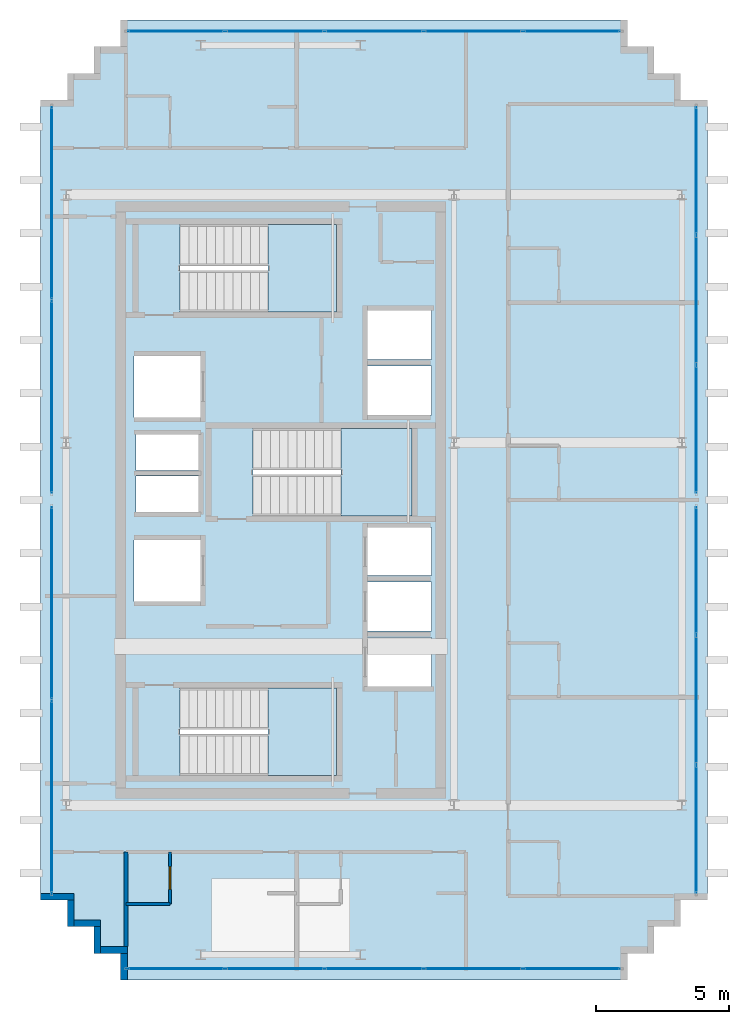
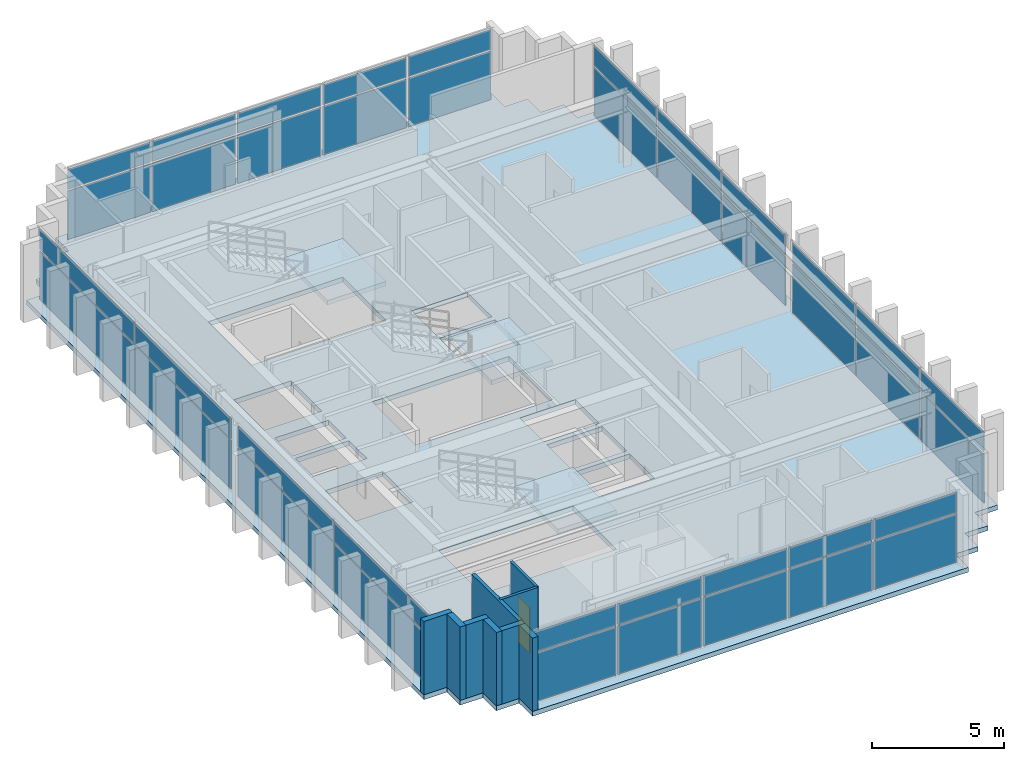
# One storey, part 11 of 15: 40 plates, 9 walls, 4 slabs, 1 door, 1 opening, 9 elements without a shape of their own.
"""IFC4 building model written with IfcOpenShell, lengths in metres."""

from ifc_helpers import new_model, si_unit, direction, frame, frame_2d, origin, origin_2d, place, context, subcontext, project, spatial, polyline, rectangle, outline, extrude, source, transform, mapped, material, layer, layer_set, type_object, element, fill, aggregate, save


model = new_model("IFC4")

# Units and contexts
model_context = context("Model", 3, precision=1e-05, world=origin(), true_north=direction((0.0, 1.0)))
body_context = subcontext(model_context, "Body", "Model", "MODEL_VIEW")
ifc_project = project(units=[si_unit("LENGTHUNIT", "METRE"), si_unit("AREAUNIT", "SQUARE_METRE"), si_unit("VOLUMEUNIT", "CUBIC_METRE"), si_unit("PLANEANGLEUNIT", "RADIAN"), si_unit("MASSUNIT", "GRAM", prefix="KILO")], contexts=[model_context])

# Site, building, storey
site_placement = place(None, origin())
site = spatial("IfcSite", under=ifc_project, at=site_placement, CompositionType="ELEMENT")
building_placement = place(site_placement, origin())
building = spatial("IfcBuilding", under=site, at=building_placement, Name="Ocotamira Hotel", CompositionType="ELEMENT")
storey_placement = place(building_placement, frame((0.0, 0.0, 286.800048828125)))
storey = spatial("IfcBuildingStorey", under=building, at=storey_placement, Name="L73", CompositionType="ELEMENT", Elevation=286.800048828125)

# Stair, slab
ifc_material_1 = material(Name="Concrete C40/50", Category="concrete")
stair_type = type_object("IfcStairType", Name="ST-CORE-1560", PredefinedType="HALF_TURN_STAIR", material=ifc_material_1)
stair_1_placement = place(storey_placement, origin())
stair_1 = element("IfcStair", 1, at=stair_1_placement, inside=storey, type_object=stair_type, Name="L73 Exit Stair ST-1", PredefinedType="HALF_TURN_STAIR")
ifc_layer_1 = layer(ifc_material_1, 0.199951171875)
ifc_layer_set_1 = layer_set([ifc_layer_1], Name="Concrete C40/50")
slab_type_1 = type_object("IfcSlabType", Name="SLB-LAND-200", PredefinedType="LANDING", material=ifc_layer_set_1)
slab_1_placement = place(storey_placement, frame((0.0, 0.0, 1.599853515625)))
slab_1 = element("IfcSlab", 2, at=slab_1_placement, type_object=slab_type_1, Name="ST-1 landing 1", PredefinedType="LANDING", context=body_context, shape_type="SweptSolid", body=[
    extrude(outline(polyline([(16.530029296875, 15.669921875), (19.090087890625, 15.669921875), (19.090087890625, 18.949951171875), (16.530029296875, 18.949951171875), (16.530029296875, 15.669921875)])), origin(), (0.0, 0.0, 1.0), 0.2001953125),
])
aggregate(stair_1, [slab_1])

stair_2_placement = place(storey_placement, origin())
stair_2 = element("IfcStair", 3, at=stair_2_placement, inside=storey, type_object=stair_type, Name="L73 Exit Stair ST-2", PredefinedType="HALF_TURN_STAIR")
slab_2_placement = place(storey_placement, frame((0.0, 0.0, 1.599853515625)))
slab_2 = element("IfcSlab", 4, at=slab_2_placement, type_object=slab_type_1, Name="ST-2 landing 1", PredefinedType="LANDING", context=body_context, shape_type="SweptSolid", body=[
    extrude(outline(polyline([(16.530029296875, 33.050048828125), (19.090087890625, 33.050048828125), (19.090087890625, 36.330078125), (16.530029296875, 36.330078125), (16.530029296875, 33.050048828125)])), origin(), (0.0, 0.0, 1.0), 0.2001953125),
])
aggregate(stair_2, [slab_2])

stair_3_placement = place(storey_placement, origin())
stair_3 = element("IfcStair", 5, at=stair_3_placement, inside=storey, type_object=stair_type, Name="L73 Exit Stair ST-3", PredefinedType="HALF_TURN_STAIR")
slab_3_placement = place(storey_placement, frame((0.0, 0.0, 1.599853515625)))
slab_3 = element("IfcSlab", 6, at=slab_3_placement, type_object=slab_type_1, Name="ST-3 landing 1", PredefinedType="LANDING", context=body_context, shape_type="SweptSolid", body=[
    extrude(outline(polyline([(19.260009765625, 25.39990234375), (21.919921875, 25.39990234375), (21.919921875, 28.679931640625), (19.260009765625, 28.679931640625), (19.260009765625, 25.39990234375)])), origin(), (0.0, 0.0, 1.0), 0.2001953125),
])
aggregate(stair_3, [slab_3])

# Slab
ifc_layer_2 = layer(ifc_material_1, 0.219970703125)
ifc_layer_set_2 = layer_set([ifc_layer_2], Name="Concrete C40/50")
slab_type_2 = type_object("IfcSlabType", Name="SLB-UPP-220", PredefinedType="FLOOR", material=ifc_layer_set_2)
slab_4_placement = place(storey_placement, frame((0.0, 0.0, -0.219970703125)))
element("IfcSlab", 7, at=slab_4_placement, inside=storey, type_object=slab_type_2, Name="L73 Structural Floor Slab", PredefinedType="FLOOR", context=body_context, shape_type="SweptSolid", body=[
    extrude(outline(polyline([(11.0, 8.0), (30.0, 8.0), (30.0, 9.0), (31.0, 9.0), (31.0, 10.0), (32.0, 10.0), (32.0, 11.0), (33.0, 11.0), (33.0, 41.0), (32.0, 41.0), (32.0, 42.0), (31.0, 42.0), (31.0, 43.0), (30.0, 43.0), (30.0, 44.0), (11.0, 44.0), (11.0, 43.0), (10.0, 43.0), (10.0, 42.0), (9.0, 42.0), (9.0, 41.0), (8.0, 41.0), (8.0, 11.0), (9.0, 11.0), (9.0, 10.0), (10.0, 10.0), (10.0, 9.0), (11.0, 9.0), (11.0, 8.0)]), holes=[polyline([(13.22998046875, 15.669921875), (19.090087890625, 15.669921875), (19.090087890625, 18.949951171875), (13.22998046875, 18.949951171875), (13.22998046875, 15.669921875)]), polyline([(13.22998046875, 33.050048828125), (19.090087890625, 33.050048828125), (19.090087890625, 36.330078125), (13.22998046875, 36.330078125), (13.22998046875, 33.050048828125)]), polyline([(15.9599609375, 25.39990234375), (21.919921875, 25.39990234375), (21.919921875, 28.679931640625), (15.9599609375, 28.679931640625), (15.9599609375, 25.39990234375)]), polyline([(20.25, 19.0), (22.659912109375, 19.0), (22.659912109375, 20.85009765625), (20.25, 20.85009765625), (20.25, 19.0)]), polyline([(20.25, 21.080078125), (22.659912109375, 21.080078125), (22.659912109375, 22.929931640625), (20.25, 22.929931640625), (20.25, 21.080078125)]), polyline([(20.25, 23.159912109375), (22.659912109375, 23.159912109375), (22.659912109375, 24.9599609375), (20.25, 24.9599609375), (20.25, 23.159912109375)]), polyline([(20.25, 29.179931640625), (22.659912109375, 29.179931640625), (22.659912109375, 31.030029296875), (20.25, 31.030029296875), (20.25, 29.179931640625)]), polyline([(20.25, 31.260009765625), (22.659912109375, 31.260009765625), (22.659912109375, 33.110107421875), (20.25, 33.110107421875), (20.25, 31.260009765625)]), polyline([(11.5, 22.199951171875), (14.0, 22.199951171875), (14.0, 24.5), (11.5, 24.5), (11.5, 22.199951171875)]), polyline([(11.5, 29.10009765625), (14.0, 29.10009765625), (14.0, 31.39990234375), (11.5, 31.39990234375), (11.5, 29.10009765625)]), polyline([(11.580078125, 25.550048828125), (13.919921875, 25.550048828125), (13.919921875, 26.89990234375), (11.580078125, 26.89990234375), (11.580078125, 25.550048828125)]), polyline([(11.580078125, 27.10009765625), (13.919921875, 27.10009765625), (13.919921875, 28.449951171875), (11.580078125, 28.449951171875), (11.580078125, 27.10009765625)])]), origin(), (0.0, 0.0, 1.0), 0.219970703125),
])

# Curtain wall, plates
ifc_material_2 = material(Name="Anodised pale-metal aluminium and solar glass", Category="aluminium")
ifc_layer_3 = layer(ifc_material_2, 0.2099609375)
ifc_layer_set_3 = layer_set([ifc_layer_3], Name="Anodised pale-metal aluminium and solar glass")
curtain_wall_type = type_object("IfcCurtainWallType", Name="CW-SYS7-PEAK", PredefinedType="NOTDEFINED", material=ifc_layer_set_3)
curtain_wall_1_placement = place(storey_placement, origin())
curtain_wall_1 = element("IfcCurtainWall", 8, at=curtain_wall_1_placement, inside=storey, type_object=curtain_wall_type, Name="L73 Curtain Wall CW-7 CW-L73-W1", PredefinedType="NOTDEFINED")
ifc_material_3 = material(Name="Double-silver low-E insulated solar glass", Category="glass")
ifc_layer_4 = layer(ifc_material_3, 0.031982421875)
ifc_layer_set_4 = layer_set([ifc_layer_4], Name="Double-silver low-E insulated solar glass")
plate_type = type_object("IfcPlateType", Name="CWP-VISION-32", PredefinedType="CURTAIN_PANEL", material=ifc_layer_set_4)
shared_shape_1 = source(origin(), body_context, "Body", "SweptSolid", [
    extrude(rectangle(XDim=7.179931640625, YDim=0.031982421875, at=origin_2d()), origin(), (0.0, 0.0, 1.0), 2.237548828125),
])
plate_1_placement = place(storey_placement, frame((8.419921875, 14.8701171875, 0.07470703125), z_axis=(0.0, 0.0, 1.0), x_axis=(0.0, 1.0, 0.0)))
plate_1 = element("IfcPlate", 9, at=plate_1_placement, type_object=plate_type, Name="CW-7 panel 1.1", PredefinedType="CURTAIN_PANEL", context=body_context, shape_type="MappedRepresentation", body=[
    mapped(shared_shape_1, transform((0.0, 0.0, 0.0), scale=1.0)),
])
plate_2_placement = place(storey_placement, frame((8.419921875, 22.1298828125, 0.07470703125), z_axis=(0.0, 0.0, 1.0), x_axis=(0.0, 1.0, 0.0)))
plate_2 = element("IfcPlate", 10, at=plate_2_placement, type_object=plate_type, Name="CW-7 panel 2.1", PredefinedType="CURTAIN_PANEL", context=body_context, shape_type="MappedRepresentation", body=[
    mapped(shared_shape_1, transform((0.0, 0.0, 0.0), scale=1.0)),
])

curtain_wall_2_placement = place(storey_placement, origin())
curtain_wall_2 = element("IfcCurtainWall", 11, at=curtain_wall_2_placement, inside=storey, type_object=curtain_wall_type, Name="L73 Curtain Wall CW-7 CW-L73-W2", PredefinedType="NOTDEFINED")
plate_3_placement = place(storey_placement, frame((8.419921875, 29.8701171875, 0.07470703125), z_axis=(0.0, 0.0, 1.0), x_axis=(0.0, 1.0, 0.0)))
plate_3 = element("IfcPlate", 12, at=plate_3_placement, type_object=plate_type, Name="CW-7 panel 1.1", PredefinedType="CURTAIN_PANEL", context=body_context, shape_type="MappedRepresentation", body=[
    mapped(shared_shape_1, transform((0.0, 0.0, 0.0), scale=1.0)),
])
plate_4_placement = place(storey_placement, frame((8.419921875, 37.1298828125, 0.07470703125), z_axis=(0.0, 0.0, 1.0), x_axis=(0.0, 1.0, 0.0)))
plate_4 = element("IfcPlate", 13, at=plate_4_placement, type_object=plate_type, Name="CW-7 panel 2.1", PredefinedType="CURTAIN_PANEL", context=body_context, shape_type="MappedRepresentation", body=[
    mapped(shared_shape_1, transform((0.0, 0.0, 0.0), scale=1.0)),
])

# Plate
shared_shape_2 = source(origin(), body_context, "Body", "SweptSolid", [
    extrude(rectangle(XDim=7.179931640625, YDim=0.031982421875, at=origin_2d()), origin(), (0.0, 0.0, 1.0), 0.91748046875),
])
plate_5_placement = place(storey_placement, frame((8.419921875, 14.8701171875, 2.387451171875), z_axis=(0.0, 0.0, 1.0), x_axis=(0.0, 1.0, 0.0)))
plate_5 = element("IfcPlate", 14, at=plate_5_placement, type_object=plate_type, Name="CW-7 panel 1.2", PredefinedType="CURTAIN_PANEL", context=body_context, shape_type="MappedRepresentation", body=[
    mapped(shared_shape_2, transform((0.0, 0.0, 0.0), scale=1.0)),
])

plate_6_placement = place(storey_placement, frame((8.419921875, 22.1298828125, 2.387451171875), z_axis=(0.0, 0.0, 1.0), x_axis=(0.0, 1.0, 0.0)))
plate_6 = element("IfcPlate", 15, at=plate_6_placement, type_object=plate_type, Name="CW-7 panel 2.2", PredefinedType="CURTAIN_PANEL", context=body_context, shape_type="MappedRepresentation", body=[
    mapped(shared_shape_2, transform((0.0, 0.0, 0.0), scale=1.0)),
])

aggregate(curtain_wall_1, [plate_1, plate_5, plate_2, plate_6])

plate_7_placement = place(storey_placement, frame((8.419921875, 29.8701171875, 2.387451171875), z_axis=(0.0, 0.0, 1.0), x_axis=(0.0, 1.0, 0.0)))
plate_7 = element("IfcPlate", 16, at=plate_7_placement, type_object=plate_type, Name="CW-7 panel 1.2", PredefinedType="CURTAIN_PANEL", context=body_context, shape_type="MappedRepresentation", body=[
    mapped(shared_shape_2, transform((0.0, 0.0, 0.0), scale=1.0)),
])

plate_8_placement = place(storey_placement, frame((8.419921875, 37.1298828125, 2.387451171875), z_axis=(0.0, 0.0, 1.0), x_axis=(0.0, 1.0, 0.0)))
plate_8 = element("IfcPlate", 17, at=plate_8_placement, type_object=plate_type, Name="CW-7 panel 2.2", PredefinedType="CURTAIN_PANEL", context=body_context, shape_type="MappedRepresentation", body=[
    mapped(shared_shape_2, transform((0.0, 0.0, 0.0), scale=1.0)),
])

aggregate(curtain_wall_2, [plate_3, plate_7, plate_4, plate_8])

# Curtain wall, plates
curtain_wall_3_placement = place(storey_placement, origin())
curtain_wall_3 = element("IfcCurtainWall", 18, at=curtain_wall_3_placement, inside=storey, type_object=curtain_wall_type, Name="L73 Curtain Wall CW-7 CW-L73-S1", PredefinedType="NOTDEFINED")
shared_shape_3 = source(origin(), body_context, "Body", "SweptSolid", [
    extrude(rectangle(XDim=3.60009765625, YDim=0.031982421875, at=origin_2d()), origin(), (0.0, 0.0, 1.0), 2.237548828125),
])
plate_9_placement = place(storey_placement, frame((13.080078125, 8.419921875, 0.07470703125), z_axis=(0.0, 0.0, 1.0), x_axis=(1.0, 0.0, 0.0)))
plate_9 = element("IfcPlate", 19, at=plate_9_placement, type_object=plate_type, Name="CW-7 panel 1.1", PredefinedType="CURTAIN_PANEL", context=body_context, shape_type="MappedRepresentation", body=[
    mapped(shared_shape_3, transform((0.0, 0.0, 0.0), scale=1.0)),
])
plate_10_placement = place(storey_placement, frame((27.919921875, 8.419921875, 0.07470703125), z_axis=(0.0, 0.0, 1.0), x_axis=(1.0, 0.0, 0.0)))
plate_10 = element("IfcPlate", 20, at=plate_10_placement, type_object=plate_type, Name="CW-7 panel 5.1", PredefinedType="CURTAIN_PANEL", context=body_context, shape_type="MappedRepresentation", body=[
    mapped(shared_shape_3, transform((0.0, 0.0, 0.0), scale=1.0)),
])

curtain_wall_4_placement = place(storey_placement, origin())
curtain_wall_4 = element("IfcCurtainWall", 21, at=curtain_wall_4_placement, inside=storey, type_object=curtain_wall_type, Name="L73 Curtain Wall CW-7 CW-L73-N", PredefinedType="NOTDEFINED")
plate_11_placement = place(storey_placement, frame((13.080078125, 43.580078125, 0.07470703125), z_axis=(0.0, 0.0, 1.0), x_axis=(1.0, 0.0, 0.0)))
plate_11 = element("IfcPlate", 22, at=plate_11_placement, type_object=plate_type, Name="CW-7 panel 1.1", PredefinedType="CURTAIN_PANEL", context=body_context, shape_type="MappedRepresentation", body=[
    mapped(shared_shape_3, transform((0.0, 0.0, 0.0), scale=1.0)),
])
plate_12_placement = place(storey_placement, frame((27.919921875, 43.580078125, 0.07470703125), z_axis=(0.0, 0.0, 1.0), x_axis=(1.0, 0.0, 0.0)))
plate_12 = element("IfcPlate", 23, at=plate_12_placement, type_object=plate_type, Name="CW-7 panel 5.1", PredefinedType="CURTAIN_PANEL", context=body_context, shape_type="MappedRepresentation", body=[
    mapped(shared_shape_3, transform((0.0, 0.0, 0.0), scale=1.0)),
])

# Plate
shared_shape_4 = source(origin(), body_context, "Body", "SweptSolid", [
    extrude(rectangle(XDim=3.60009765625, YDim=0.031982421875, at=origin_2d()), origin(), (0.0, 0.0, 1.0), 0.91748046875),
])
plate_13_placement = place(storey_placement, frame((13.080078125, 8.419921875, 2.387451171875), z_axis=(0.0, 0.0, 1.0), x_axis=(1.0, 0.0, 0.0)))
plate_13 = element("IfcPlate", 24, at=plate_13_placement, type_object=plate_type, Name="CW-7 panel 1.2", PredefinedType="CURTAIN_PANEL", context=body_context, shape_type="MappedRepresentation", body=[
    mapped(shared_shape_4, transform((0.0, 0.0, 0.0), scale=1.0)),
])

plate_14_placement = place(storey_placement, frame((27.919921875, 8.419921875, 2.387451171875), z_axis=(0.0, 0.0, 1.0), x_axis=(1.0, 0.0, 0.0)))
plate_14 = element("IfcPlate", 25, at=plate_14_placement, type_object=plate_type, Name="CW-7 panel 5.2", PredefinedType="CURTAIN_PANEL", context=body_context, shape_type="MappedRepresentation", body=[
    mapped(shared_shape_4, transform((0.0, 0.0, 0.0), scale=1.0)),
])

plate_15_placement = place(storey_placement, frame((13.080078125, 43.580078125, 2.387451171875), z_axis=(0.0, 0.0, 1.0), x_axis=(1.0, 0.0, 0.0)))
plate_15 = element("IfcPlate", 26, at=plate_15_placement, type_object=plate_type, Name="CW-7 panel 1.2", PredefinedType="CURTAIN_PANEL", context=body_context, shape_type="MappedRepresentation", body=[
    mapped(shared_shape_4, transform((0.0, 0.0, 0.0), scale=1.0)),
])

plate_16_placement = place(storey_placement, frame((27.919921875, 43.580078125, 2.387451171875), z_axis=(0.0, 0.0, 1.0), x_axis=(1.0, 0.0, 0.0)))
plate_16 = element("IfcPlate", 27, at=plate_16_placement, type_object=plate_type, Name="CW-7 panel 5.2", PredefinedType="CURTAIN_PANEL", context=body_context, shape_type="MappedRepresentation", body=[
    mapped(shared_shape_4, transform((0.0, 0.0, 0.0), scale=1.0)),
])

shared_shape_5 = source(origin(), body_context, "Body", "SweptSolid", [
    extrude(rectangle(XDim=3.639892578125, YDim=0.031982421875, at=origin_2d()), origin(), (0.0, 0.0, 1.0), 2.237548828125),
])
plate_17_placement = place(storey_placement, frame((16.780029296875, 8.419921875, 0.07470703125), z_axis=(0.0, 0.0, 1.0), x_axis=(1.0, 0.0, 0.0)))
plate_17 = element("IfcPlate", 28, at=plate_17_placement, type_object=plate_type, Name="CW-7 panel 2.1", PredefinedType="CURTAIN_PANEL", context=body_context, shape_type="MappedRepresentation", body=[
    mapped(shared_shape_5, transform((0.0, 0.0, 0.0), scale=1.0)),
])

plate_18_placement = place(storey_placement, frame((20.5, 8.419921875, 0.07470703125), z_axis=(0.0, 0.0, 1.0), x_axis=(1.0, 0.0, 0.0)))
plate_18 = element("IfcPlate", 29, at=plate_18_placement, type_object=plate_type, Name="CW-7 panel 3.1", PredefinedType="CURTAIN_PANEL", context=body_context, shape_type="MappedRepresentation", body=[
    mapped(shared_shape_5, transform((0.0, 0.0, 0.0), scale=1.0)),
])

plate_19_placement = place(storey_placement, frame((24.219970703125, 8.419921875, 0.07470703125), z_axis=(0.0, 0.0, 1.0), x_axis=(1.0, 0.0, 0.0)))
plate_19 = element("IfcPlate", 30, at=plate_19_placement, type_object=plate_type, Name="CW-7 panel 4.1", PredefinedType="CURTAIN_PANEL", context=body_context, shape_type="MappedRepresentation", body=[
    mapped(shared_shape_5, transform((0.0, 0.0, 0.0), scale=1.0)),
])

plate_20_placement = place(storey_placement, frame((16.780029296875, 43.580078125, 0.07470703125), z_axis=(0.0, 0.0, 1.0), x_axis=(1.0, 0.0, 0.0)))
plate_20 = element("IfcPlate", 31, at=plate_20_placement, type_object=plate_type, Name="CW-7 panel 2.1", PredefinedType="CURTAIN_PANEL", context=body_context, shape_type="MappedRepresentation", body=[
    mapped(shared_shape_5, transform((0.0, 0.0, 0.0), scale=1.0)),
])

plate_21_placement = place(storey_placement, frame((20.5, 43.580078125, 0.07470703125), z_axis=(0.0, 0.0, 1.0), x_axis=(1.0, 0.0, 0.0)))
plate_21 = element("IfcPlate", 32, at=plate_21_placement, type_object=plate_type, Name="CW-7 panel 3.1", PredefinedType="CURTAIN_PANEL", context=body_context, shape_type="MappedRepresentation", body=[
    mapped(shared_shape_5, transform((0.0, 0.0, 0.0), scale=1.0)),
])

plate_22_placement = place(storey_placement, frame((24.219970703125, 43.580078125, 0.07470703125), z_axis=(0.0, 0.0, 1.0), x_axis=(1.0, 0.0, 0.0)))
plate_22 = element("IfcPlate", 33, at=plate_22_placement, type_object=plate_type, Name="CW-7 panel 4.1", PredefinedType="CURTAIN_PANEL", context=body_context, shape_type="MappedRepresentation", body=[
    mapped(shared_shape_5, transform((0.0, 0.0, 0.0), scale=1.0)),
])

shared_shape_6 = source(origin(), body_context, "Body", "SweptSolid", [
    extrude(rectangle(XDim=3.639892578125, YDim=0.031982421875, at=origin_2d()), origin(), (0.0, 0.0, 1.0), 0.91748046875),
])
plate_23_placement = place(storey_placement, frame((16.780029296875, 8.419921875, 2.387451171875), z_axis=(0.0, 0.0, 1.0), x_axis=(1.0, 0.0, 0.0)))
plate_23 = element("IfcPlate", 34, at=plate_23_placement, type_object=plate_type, Name="CW-7 panel 2.2", PredefinedType="CURTAIN_PANEL", context=body_context, shape_type="MappedRepresentation", body=[
    mapped(shared_shape_6, transform((0.0, 0.0, 0.0), scale=1.0)),
])

plate_24_placement = place(storey_placement, frame((20.5, 8.419921875, 2.387451171875), z_axis=(0.0, 0.0, 1.0), x_axis=(1.0, 0.0, 0.0)))
plate_24 = element("IfcPlate", 35, at=plate_24_placement, type_object=plate_type, Name="CW-7 panel 3.2", PredefinedType="CURTAIN_PANEL", context=body_context, shape_type="MappedRepresentation", body=[
    mapped(shared_shape_6, transform((0.0, 0.0, 0.0), scale=1.0)),
])

plate_25_placement = place(storey_placement, frame((24.219970703125, 8.419921875, 2.387451171875), z_axis=(0.0, 0.0, 1.0), x_axis=(1.0, 0.0, 0.0)))
plate_25 = element("IfcPlate", 36, at=plate_25_placement, type_object=plate_type, Name="CW-7 panel 4.2", PredefinedType="CURTAIN_PANEL", context=body_context, shape_type="MappedRepresentation", body=[
    mapped(shared_shape_6, transform((0.0, 0.0, 0.0), scale=1.0)),
])

aggregate(curtain_wall_3, [plate_9, plate_13, plate_17, plate_23, plate_18, plate_24, plate_19, plate_25, plate_10, plate_14])

plate_26_placement = place(storey_placement, frame((16.780029296875, 43.580078125, 2.387451171875), z_axis=(0.0, 0.0, 1.0), x_axis=(1.0, 0.0, 0.0)))
plate_26 = element("IfcPlate", 37, at=plate_26_placement, type_object=plate_type, Name="CW-7 panel 2.2", PredefinedType="CURTAIN_PANEL", context=body_context, shape_type="MappedRepresentation", body=[
    mapped(shared_shape_6, transform((0.0, 0.0, 0.0), scale=1.0)),
])

plate_27_placement = place(storey_placement, frame((20.5, 43.580078125, 2.387451171875), z_axis=(0.0, 0.0, 1.0), x_axis=(1.0, 0.0, 0.0)))
plate_27 = element("IfcPlate", 38, at=plate_27_placement, type_object=plate_type, Name="CW-7 panel 3.2", PredefinedType="CURTAIN_PANEL", context=body_context, shape_type="MappedRepresentation", body=[
    mapped(shared_shape_6, transform((0.0, 0.0, 0.0), scale=1.0)),
])

plate_28_placement = place(storey_placement, frame((24.219970703125, 43.580078125, 2.387451171875), z_axis=(0.0, 0.0, 1.0), x_axis=(1.0, 0.0, 0.0)))
plate_28 = element("IfcPlate", 39, at=plate_28_placement, type_object=plate_type, Name="CW-7 panel 4.2", PredefinedType="CURTAIN_PANEL", context=body_context, shape_type="MappedRepresentation", body=[
    mapped(shared_shape_6, transform((0.0, 0.0, 0.0), scale=1.0)),
])

aggregate(curtain_wall_4, [plate_11, plate_15, plate_20, plate_26, plate_21, plate_27, plate_22, plate_28, plate_12, plate_16])

# Curtain wall, plates
curtain_wall_5_placement = place(storey_placement, origin())
curtain_wall_5 = element("IfcCurtainWall", 40, at=curtain_wall_5_placement, inside=storey, type_object=curtain_wall_type, Name="L73 Curtain Wall CW-7 CW-L73-E1", PredefinedType="NOTDEFINED")
shared_shape_7 = source(origin(), body_context, "Body", "SweptSolid", [
    extrude(rectangle(XDim=4.74658203125, YDim=0.031982421875, at=origin_2d()), origin(), (0.0, 0.0, 1.0), 2.237548828125),
])
plate_29_placement = place(storey_placement, frame((32.580078125, 13.6533203125, 0.07470703125), z_axis=(0.0, 0.0, 1.0), x_axis=(0.0, 1.0, 0.0)))
plate_29 = element("IfcPlate", 41, at=plate_29_placement, type_object=plate_type, Name="CW-7 panel 1.1", PredefinedType="CURTAIN_PANEL", context=body_context, shape_type="MappedRepresentation", body=[
    mapped(shared_shape_7, transform((0.0, 0.0, 0.0), scale=1.0)),
])
plate_30_placement = place(storey_placement, frame((32.580078125, 23.3466796875, 0.07470703125), z_axis=(0.0, 0.0, 1.0), x_axis=(0.0, 1.0, 0.0)))
plate_30 = element("IfcPlate", 42, at=plate_30_placement, type_object=plate_type, Name="CW-7 panel 3.1", PredefinedType="CURTAIN_PANEL", context=body_context, shape_type="MappedRepresentation", body=[
    mapped(shared_shape_7, transform((0.0, 0.0, 0.0), scale=1.0)),
])

curtain_wall_6_placement = place(storey_placement, origin())
curtain_wall_6 = element("IfcCurtainWall", 43, at=curtain_wall_6_placement, inside=storey, type_object=curtain_wall_type, Name="L73 Curtain Wall CW-7 CW-L73-E2", PredefinedType="NOTDEFINED")
plate_31_placement = place(storey_placement, frame((32.580078125, 28.6533203125, 0.07470703125), z_axis=(0.0, 0.0, 1.0), x_axis=(0.0, 1.0, 0.0)))
plate_31 = element("IfcPlate", 44, at=plate_31_placement, type_object=plate_type, Name="CW-7 panel 1.1", PredefinedType="CURTAIN_PANEL", context=body_context, shape_type="MappedRepresentation", body=[
    mapped(shared_shape_7, transform((0.0, 0.0, 0.0), scale=1.0)),
])
plate_32_placement = place(storey_placement, frame((32.580078125, 38.3466796875, 0.07470703125), z_axis=(0.0, 0.0, 1.0), x_axis=(0.0, 1.0, 0.0)))
plate_32 = element("IfcPlate", 45, at=plate_32_placement, type_object=plate_type, Name="CW-7 panel 3.1", PredefinedType="CURTAIN_PANEL", context=body_context, shape_type="MappedRepresentation", body=[
    mapped(shared_shape_7, transform((0.0, 0.0, 0.0), scale=1.0)),
])

# Plate
shared_shape_8 = source(origin(), body_context, "Body", "SweptSolid", [
    extrude(rectangle(XDim=4.74658203125, YDim=0.031982421875, at=origin_2d()), origin(), (0.0, 0.0, 1.0), 0.91748046875),
])
plate_33_placement = place(storey_placement, frame((32.580078125, 13.6533203125, 2.387451171875), z_axis=(0.0, 0.0, 1.0), x_axis=(0.0, 1.0, 0.0)))
plate_33 = element("IfcPlate", 46, at=plate_33_placement, type_object=plate_type, Name="CW-7 panel 1.2", PredefinedType="CURTAIN_PANEL", context=body_context, shape_type="MappedRepresentation", body=[
    mapped(shared_shape_8, transform((0.0, 0.0, 0.0), scale=1.0)),
])

plate_34_placement = place(storey_placement, frame((32.580078125, 23.3466796875, 2.387451171875), z_axis=(0.0, 0.0, 1.0), x_axis=(0.0, 1.0, 0.0)))
plate_34 = element("IfcPlate", 47, at=plate_34_placement, type_object=plate_type, Name="CW-7 panel 3.2", PredefinedType="CURTAIN_PANEL", context=body_context, shape_type="MappedRepresentation", body=[
    mapped(shared_shape_8, transform((0.0, 0.0, 0.0), scale=1.0)),
])

plate_35_placement = place(storey_placement, frame((32.580078125, 28.6533203125, 2.387451171875), z_axis=(0.0, 0.0, 1.0), x_axis=(0.0, 1.0, 0.0)))
plate_35 = element("IfcPlate", 48, at=plate_35_placement, type_object=plate_type, Name="CW-7 panel 1.2", PredefinedType="CURTAIN_PANEL", context=body_context, shape_type="MappedRepresentation", body=[
    mapped(shared_shape_8, transform((0.0, 0.0, 0.0), scale=1.0)),
])

plate_36_placement = place(storey_placement, frame((32.580078125, 38.3466796875, 2.387451171875), z_axis=(0.0, 0.0, 1.0), x_axis=(0.0, 1.0, 0.0)))
plate_36 = element("IfcPlate", 49, at=plate_36_placement, type_object=plate_type, Name="CW-7 panel 3.2", PredefinedType="CURTAIN_PANEL", context=body_context, shape_type="MappedRepresentation", body=[
    mapped(shared_shape_8, transform((0.0, 0.0, 0.0), scale=1.0)),
])

shared_shape_9 = source(origin(), body_context, "Body", "SweptSolid", [
    extrude(rectangle(XDim=4.78662109375, YDim=0.031982421875, at=origin_2d()), origin(), (0.0, 0.0, 1.0), 2.237548828125),
])
plate_37_placement = place(storey_placement, frame((32.580078125, 18.5, 0.07470703125), z_axis=(0.0, 0.0, 1.0), x_axis=(0.0, 1.0, 0.0)))
plate_37 = element("IfcPlate", 50, at=plate_37_placement, type_object=plate_type, Name="CW-7 panel 2.1", PredefinedType="CURTAIN_PANEL", context=body_context, shape_type="MappedRepresentation", body=[
    mapped(shared_shape_9, transform((0.0, 0.0, 0.0), scale=1.0)),
])

plate_38_placement = place(storey_placement, frame((32.580078125, 33.5, 0.07470703125), z_axis=(0.0, 0.0, 1.0), x_axis=(0.0, 1.0, 0.0)))
plate_38 = element("IfcPlate", 51, at=plate_38_placement, type_object=plate_type, Name="CW-7 panel 2.1", PredefinedType="CURTAIN_PANEL", context=body_context, shape_type="MappedRepresentation", body=[
    mapped(shared_shape_9, transform((0.0, 0.0, 0.0), scale=1.0)),
])

shared_shape_10 = source(origin(), body_context, "Body", "SweptSolid", [
    extrude(rectangle(XDim=4.78662109375, YDim=0.031982421875, at=origin_2d()), origin(), (0.0, 0.0, 1.0), 0.91748046875),
])
plate_39_placement = place(storey_placement, frame((32.580078125, 18.5, 2.387451171875), z_axis=(0.0, 0.0, 1.0), x_axis=(0.0, 1.0, 0.0)))
plate_39 = element("IfcPlate", 52, at=plate_39_placement, type_object=plate_type, Name="CW-7 panel 2.2", PredefinedType="CURTAIN_PANEL", context=body_context, shape_type="MappedRepresentation", body=[
    mapped(shared_shape_10, transform((0.0, 0.0, 0.0), scale=1.0)),
])

aggregate(curtain_wall_5, [plate_29, plate_33, plate_37, plate_39, plate_30, plate_34])

plate_40_placement = place(storey_placement, frame((32.580078125, 33.5, 2.387451171875), z_axis=(0.0, 0.0, 1.0), x_axis=(0.0, 1.0, 0.0)))
plate_40 = element("IfcPlate", 53, at=plate_40_placement, type_object=plate_type, Name="CW-7 panel 2.2", PredefinedType="CURTAIN_PANEL", context=body_context, shape_type="MappedRepresentation", body=[
    mapped(shared_shape_10, transform((0.0, 0.0, 0.0), scale=1.0)),
])

aggregate(curtain_wall_6, [plate_31, plate_35, plate_38, plate_40, plate_32, plate_36])

# Walls
ifc_material_4 = material(Name="Precast concrete C45/55", Category="concrete")
ifc_layer_5 = layer(ifc_material_4, 0.25)
ifc_layer_set_5 = layer_set([ifc_layer_5], Name="Precast concrete C45/55")
wall_type_1 = type_object("IfcWallType", Name="WL-EXT-SER-250", PredefinedType="SOLIDWALL", material=ifc_layer_set_5)
wall_1_placement = place(storey_placement, frame((8.0, 11.125, 0.0), z_axis=(0.0, 0.0, 1.0), x_axis=(1.0, 0.0, 0.0)))
element("IfcWall", 54, at=wall_1_placement, inside=storey, type_object=wall_type_1, Name="L73 Serrated Corner Wall 19", PredefinedType="SOLIDWALL", context=body_context, shape_type="SweptSolid", body=[
    extrude(rectangle(XDim=1.25, YDim=0.25, at=frame_2d((0.625, 0.0))), origin(), (0.0, 0.0, 1.0), 3.3798828125),
])
for number, where, z_axis, x_axis, name in (
    (55, (9.125, 11.0, 0.0), (0.0, 0.0, 1.0), (0.0, -1.0, 0.0), "L73 Serrated Corner Wall 20"),
    (56, (9.25, 10.125, 0.0), (0.0, 0.0, 1.0), (1.0, 0.0, 0.0), "L73 Serrated Corner Wall 21"),
    (57, (10.125, 10.0, 0.0), (0.0, 0.0, 1.0), (0.0, -1.0, 0.0), "L73 Serrated Corner Wall 22"),
    (58, (10.25, 9.125, 0.0), (0.0, 0.0, 1.0), (1.0, 0.0, 0.0), "L73 Serrated Corner Wall 23"),
    (59, (11.125, 9.0, 0.0), (0.0, 0.0, 1.0), (0.0, -1.0, 0.0), "L73 Serrated Corner Wall 24"),
):
    element("IfcWall", number, at=place(storey_placement, frame(where, z_axis=z_axis, x_axis=x_axis)), inside=storey, type_object=wall_type_1, Name=name, PredefinedType="SOLIDWALL", context=body_context, shape_type="SweptSolid", body=[
        extrude(rectangle(XDim=1.0, YDim=0.25, at=frame_2d((0.5, 0.0))), origin(), (0.0, 0.0, 1.0), 3.3798828125),
    ])

# Wall, opening, door
ifc_material_5 = material(Name="Moisture-resistant en-suite tile and gypsum partition", Category="gypsum")
ifc_layer_6 = layer(ifc_material_5, 0.1201171875)
ifc_layer_set_6 = layer_set([ifc_layer_6], Name="Moisture-resistant en-suite tile and gypsum partition")
wall_type_2 = type_object("IfcWallType", Name="WL-PART-120", PredefinedType="PARTITIONING", material=ifc_layer_set_6)
wall_2_placement = place(storey_placement, frame((12.85009765625, 10.85009765625, 0.0), z_axis=(0.0, 0.0, 1.0), x_axis=(0.0, 1.0, 0.0)))
wall_2 = element("IfcWall", 60, at=wall_2_placement, inside=storey, type_object=wall_type_2, Name="L73 Interior Wall PW-L73-WP1S-BAE1", PredefinedType="PARTITIONING", context=body_context, shape_type="SweptSolid", body=[
    extrude(rectangle(XDim=1.949951171875, YDim=0.1201171875, at=frame_2d((0.97509765625, 0.0))), origin(), (0.0, 0.0, 1.0), 3.3798828125),
])
opening_placement = place(wall_2_placement, frame((0.544921875, 0.0, 0.0)))
opening = element("IfcOpeningElement", 61, at=opening_placement, cuts=wall_2, Name="Opening D-BA1", PredefinedType="OPENING", context=body_context, shape_type="SweptSolid", body=[
    extrude(rectangle(XDim=0.860107421875, YDim=2.10009765625, at=frame_2d((0.43017578125, 1.050048828125))), frame((0.0, 0.070068359375, 0.0), z_axis=(0.0, -1.0, 0.0), x_axis=(1.0, 0.0, 0.0)), (0.0, 0.0, 1.0), 0.14013671875),
])
ifc_material_6 = material(Name="Moisture-sealed en-suite timber door", Category="wood")
door_type = type_object("IfcDoorType", Name="DR-BATH-860", OperationType="NOTDEFINED", PredefinedType="DOOR", material=ifc_material_6)
shared_shape_11 = source(origin(), body_context, "Body", "SweptSolid", [
    extrude(rectangle(XDim=0.860107421875, YDim=2.10009765625, at=frame_2d((0.43017578125, 1.050048828125))), frame((0.0, 0.02490234375, 0.0), z_axis=(0.0, -1.0, 0.0), x_axis=(1.0, 0.0, 0.0)), (0.0, 0.0, 1.0), 0.050048828125),
])
door_placement = place(opening_placement, origin())
door = element("IfcDoor", 62, at=door_placement, inside=storey, type_object=door_type, Name="L73 Door ID-L73-WP1S-BAD1 [ID-L73-WP1S-BAD1]", OperationType="SINGLE_SWING_RIGHT", OverallHeight=2.10009765625, OverallWidth=0.860107421875, PredefinedType="DOOR", context=body_context, shape_type="MappedRepresentation", body=[
    mapped(shared_shape_11, transform((0.0, 0.0, 0.0), scale=1.0)),
])
fill(opening, door)

# Walls
wall_3_placement = place(storey_placement, frame((11.199951171875, 10.85009765625, 0.0), z_axis=(0.0, 0.0, 1.0), x_axis=(1.0, 0.0, 0.0)))
element("IfcWall", 63, at=wall_3_placement, inside=storey, type_object=wall_type_2, Name="L73 Interior Wall PW-L73-WP1S-BAS1", PredefinedType="PARTITIONING", context=body_context, shape_type="SweptSolid", body=[
    extrude(rectangle(XDim=1.650146484375, YDim=0.1201171875, at=frame_2d((0.8251953125, 0.0))), origin(), (0.0, 0.0, 1.0), 3.3798828125),
])
ifc_material_7 = material(Name="Acoustic double-stud hospitality gypsum partition", Category="gypsum")
ifc_layer_7 = layer(ifc_material_7, 0.159912109375)
ifc_layer_set_7 = layer_set([ifc_layer_7], Name="Acoustic double-stud hospitality gypsum partition")
wall_type_3 = type_object("IfcWallType", Name="WL-PART-160", PredefinedType="PARTITIONING", material=ifc_layer_set_7)
wall_4_placement = place(storey_placement, frame((11.199951171875, 9.260009765625, 0.0), z_axis=(0.0, 0.0, 1.0), x_axis=(0.0, 1.0, 0.0)))
element("IfcWall", 64, at=wall_4_placement, inside=storey, type_object=wall_type_3, Name="L73 Interior Wall PW-L73-WP1S-PW0", PredefinedType="PARTITIONING", context=body_context, shape_type="SweptSolid", body=[
    extrude(rectangle(XDim=3.5400390625, YDim=0.159912109375, at=frame_2d((1.77001953125, 0.0))), origin(), (0.0, 0.0, 1.0), 3.3798828125),
])

save(model, "model.ifc")
